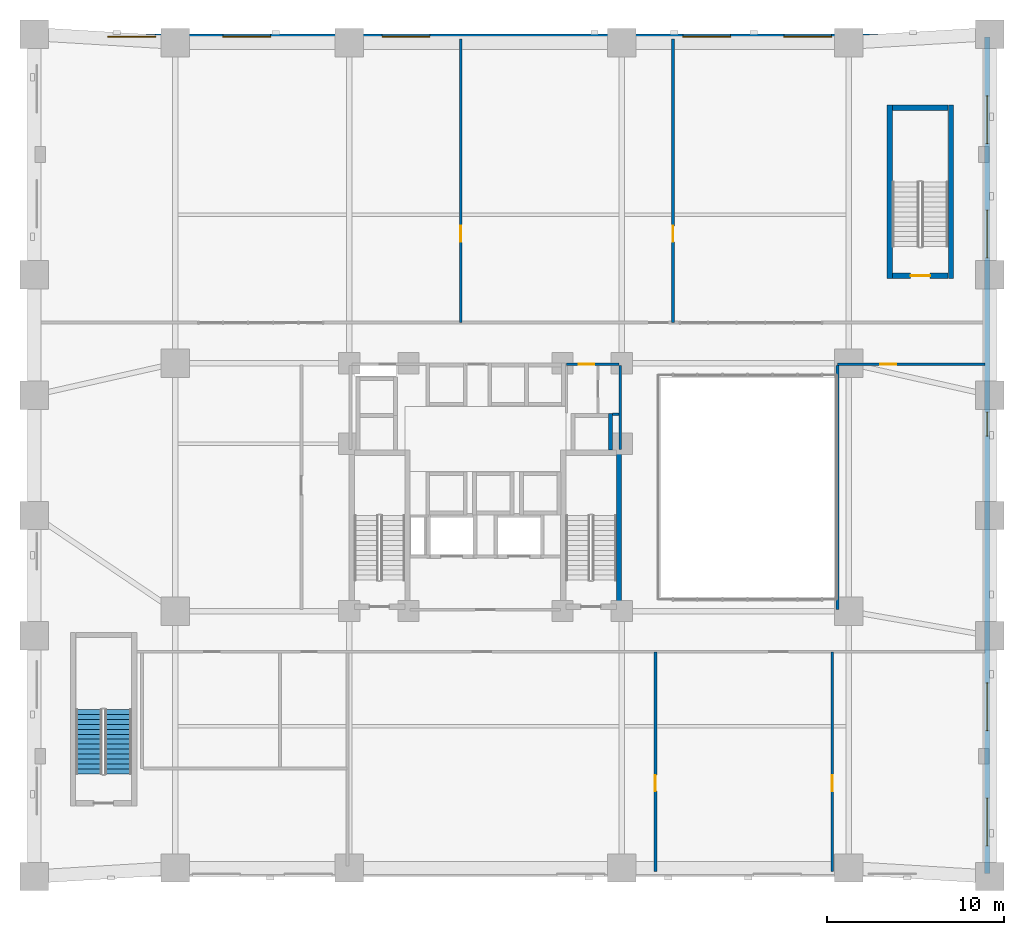
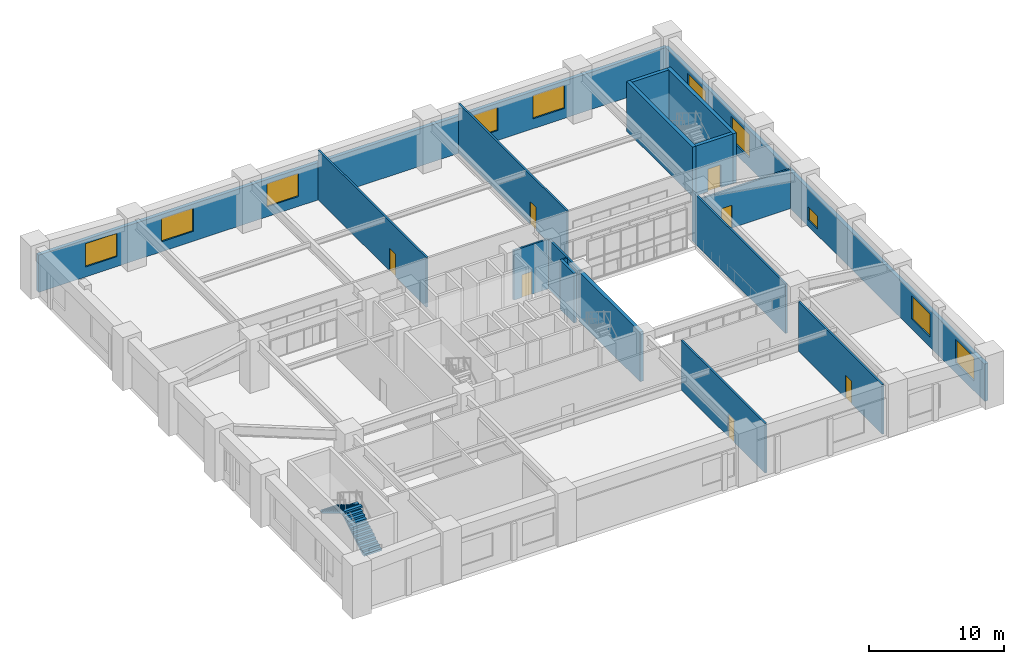
# One storey, part 8 of 13: 17 walls, 10 windows, 7 doors, 2 stair flights, 17 openings, 1 element without a shape of its own.
"""IFC4 building model written with IfcOpenShell, lengths in metres."""

from ifc_helpers import new_model, si_unit, derived_unit, direction, frame, frame_2d, origin, place, context, subcontext, project, spatial, polyline, rectangle, outline, extrude, material, layer, layer_set, type_object, element, fill, aggregate, save


model = new_model("IFC4")

# Units and contexts
model_context = context("Model", 3, precision=1e-05, world=origin(), true_north=direction((0.0, 1.0)))
body_context = subcontext(model_context, "Body", "Model", "MODEL_VIEW")
ifc_project = project(units=[si_unit("LENGTHUNIT", "METRE"), si_unit("AREAUNIT", "SQUARE_METRE"), si_unit("VOLUMEUNIT", "CUBIC_METRE"), si_unit("PLANEANGLEUNIT", "RADIAN"), si_unit("MASSUNIT", "GRAM", prefix="KILO"), derived_unit("THERMALTRANSMITTANCEUNIT", [(si_unit("MASSUNIT", "GRAM", prefix="KILO"), 1), (si_unit("TIMEUNIT", "SECOND"), -3), (si_unit("THERMODYNAMICTEMPERATUREUNIT", "KELVIN"), -1)])], contexts=[model_context])

# Site, building, storey
site_placement = place(None, origin())
site = spatial("IfcSite", under=ifc_project, at=site_placement, CompositionType="ELEMENT")
building_placement = place(site_placement, origin())
building = spatial("IfcBuilding", under=site, at=building_placement, Name="Korrvale Station Residences", CompositionType="ELEMENT")
storey_placement = place(building_placement, frame((0.0, 0.0, 11.199951171875)))
storey = spatial("IfcBuildingStorey", under=building, at=storey_placement, Name="L02", CompositionType="ELEMENT", Elevation=11.199951171875)

# Walls
ifc_material_1 = material(Name="Concrete C70/85", Category="concrete")
ifc_layer_1 = layer(ifc_material_1, 0.300048828125, Name="Concrete C70/85")
ifc_layer_set_1 = layer_set([ifc_layer_1], Name="Concrete C70/85")
wall_type_1 = type_object("IfcWallType", Name="WAL-CORE-300-C70", PredefinedType="SHEAR", material=ifc_layer_set_1)
wall_1_placement = place(storey_placement, frame((33.050048828125, 15.10009765625, 0.0), z_axis=(0.0, 0.0, 1.0), x_axis=(0.0, 1.0, 0.0)))
element("IfcWall", 1, at=wall_1_placement, inside=storey, type_object=wall_type_1, Name="L02 ST-2 Core Shear Wall East", PredefinedType="SHEAR", context=body_context, shape_type="SweptSolid", body=[
    extrude(rectangle(XDim=9.0, YDim=0.300048828125, at=frame_2d((4.5, 0.0))), origin(), (0.0, 0.0, 1.0), 4.47998046875),
])
for number, where, z_axis, x_axis, name in (
    (2, (48.35009765625, 33.800048828125, 0.0), (0.0, 0.0, 1.0), (0.0, 1.0, 0.0), "L02 ST-4 Core Shear Wall West"),
    (3, (51.800048828125, 33.800048828125, 0.0), (0.0, 0.0, 1.0), (0.0, 1.0, 0.0), "L02 ST-4 Core Shear Wall East"),
):
    element("IfcWall", number, at=place(storey_placement, frame(where, z_axis=z_axis, x_axis=x_axis)), inside=storey, type_object=wall_type_1, Name=name, PredefinedType="SHEAR", context=body_context, shape_type="SweptSolid", body=[
        extrude(rectangle(XDim=9.800048828125, YDim=0.300048828125, at=frame_2d((4.89990234375, 0.0))), origin(), (0.0, 0.0, 1.0), 4.47998046875),
    ])
wall_2_placement = place(storey_placement, frame((48.5, 43.449951171875, 0.0), z_axis=(0.0, 0.0, 1.0), x_axis=(1.0, 0.0, 0.0)))
element("IfcWall", 4, at=wall_2_placement, inside=storey, type_object=wall_type_1, Name="L02 ST-4 Core Shear Wall North", PredefinedType="SHEAR", context=body_context, shape_type="SweptSolid", body=[
    extrude(rectangle(XDim=3.14990234375, YDim=0.300048828125, at=frame_2d((1.574951171875, 0.0))), origin(), (0.0, 0.0, 1.0), 4.47998046875),
])

# Wall, opening, door
wall_3_placement = place(storey_placement, frame((48.5, 33.949951171875, 0.0), z_axis=(0.0, 0.0, 1.0), x_axis=(1.0, 0.0, 0.0)))
wall_3 = element("IfcWall", 5, at=wall_3_placement, inside=storey, type_object=wall_type_1, Name="L02 ST-4 Core Shear Wall South", PredefinedType="SHEAR", context=body_context, shape_type="SweptSolid", body=[
    extrude(rectangle(XDim=3.14990234375, YDim=0.300048828125, at=frame_2d((1.574951171875, 0.0))), origin(), (0.0, 0.0, 1.0), 4.47998046875),
])
opening_1_placement = place(wall_3_placement, frame((1.02001953125, 0.0, 0.0)))
opening_1 = element("IfcOpeningElement", 6, at=opening_1_placement, cuts=wall_3, Name="Opening SD-1100", PredefinedType="OPENING", context=body_context, shape_type="SweptSolid", body=[
    extrude(rectangle(XDim=1.10009765625, YDim=2.050048828125, at=frame_2d((0.550048828125, 1.02490234375))), frame((0.0, 0.16015625, 0.0), z_axis=(0.0, -1.0, 0.0), x_axis=(1.0, 0.0, 0.0)), (0.0, 0.0, 1.0), 0.320068359375),
])
ifc_material_2 = material(Name="Hollow-metal fire-rated stair door with closer", Category="steel")
door_type_1 = type_object("IfcDoorType", Name="DR-STAIR-1100", OperationType="NOTDEFINED", PredefinedType="DOOR", material=ifc_material_2)
door_1_placement = place(opening_1_placement, origin())
door_1 = element("IfcDoor", 7, at=door_1_placement, inside=storey, type_object=door_type_1, Name="L02 ST-4 Exit Stair Door", OperationType="SINGLE_SWING_RIGHT", OverallHeight=2.050048828125, OverallWidth=1.10009765625, PredefinedType="DOOR", context=body_context, shape_type="SweptSolid", body=[
    extrude(rectangle(XDim=1.10009765625, YDim=2.050048828125, at=frame_2d((0.550048828125, 1.02490234375))), frame((0.0, 0.02490234375, 0.0), z_axis=(0.0, -1.0, 0.0), x_axis=(1.0, 0.0, 0.0)), (0.0, 0.0, 1.0), 0.050048828125),
])
fill(opening_1, door_1)

# Wall, openings, windows
ifc_material_3 = material(Name="Precast concrete C45/55", Category="concrete")
ifc_layer_2 = layer(ifc_material_3, 0.300048828125, Name="Precast concrete C45/55")
ifc_layer_set_2 = layer_set([ifc_layer_2], Name="Precast concrete C45/55")
wall_type_2 = type_object("IfcWallType", Name="WAL-EXT-PC300", PredefinedType="SOLIDWALL", material=ifc_layer_set_2)
wall_4_placement = place(storey_placement, frame((0.159912109375, 47.449951171875, 0.0), z_axis=(0.0, 0.0, 1.0), x_axis=(1.0, 0.0, 0.0)))
wall_4 = element("IfcWall", 8, at=wall_4_placement, inside=storey, type_object=wall_type_2, Name="L02 North Exterior Precast Wall 1", PredefinedType="SOLIDWALL", context=body_context, shape_type="SweptSolid", body=[
    extrude(rectangle(XDim=53.68017578125, YDim=0.300048828125, at=frame_2d((26.840087890625, 0.0))), origin(), (0.0, 0.0, 1.0), 3.364990234375),
])
opening_2_placement = place(wall_4_placement, frame((4.0, 0.0, 0.89990234375)))
opening_2 = element("IfcOpeningElement", 9, at=opening_2_placement, cuts=wall_4, Name="Opening W-07", PredefinedType="OPENING", context=body_context, shape_type="SweptSolid", body=[
    extrude(rectangle(XDim=2.699951171875, YDim=2.10009765625, at=frame_2d((1.35009765625, 1.050048828125))), frame((0.0, 0.16015625, 0.0), z_axis=(0.0, -1.0, 0.0), x_axis=(1.0, 0.0, 0.0)), (0.0, 0.0, 1.0), 0.320068359375),
])
opening_3_placement = place(wall_4_placement, frame((10.5, 0.0, 0.89990234375)))
opening_3 = element("IfcOpeningElement", 10, at=opening_3_placement, cuts=wall_4, Name="Opening W-07", PredefinedType="OPENING", context=body_context, shape_type="SweptSolid", body=[
    extrude(rectangle(XDim=2.699951171875, YDim=2.10009765625, at=frame_2d((1.35009765625, 1.050048828125))), frame((0.0, 0.16015625, 0.0), z_axis=(0.0, -1.0, 0.0), x_axis=(1.0, 0.0, 0.0)), (0.0, 0.0, 1.0), 0.320068359375),
])
opening_4_placement = place(wall_4_placement, frame((19.5, 0.0, 0.89990234375)))
opening_4 = element("IfcOpeningElement", 11, at=opening_4_placement, cuts=wall_4, Name="Opening W-07", PredefinedType="OPENING", context=body_context, shape_type="SweptSolid", body=[
    extrude(rectangle(XDim=2.699951171875, YDim=2.10009765625, at=frame_2d((1.35009765625, 1.050048828125))), frame((0.0, 0.16015625, 0.0), z_axis=(0.0, -1.0, 0.0), x_axis=(1.0, 0.0, 0.0)), (0.0, 0.0, 1.0), 0.320068359375),
])
opening_5_placement = place(wall_4_placement, frame((36.5, 0.0, 0.89990234375)))
opening_5 = element("IfcOpeningElement", 12, at=opening_5_placement, cuts=wall_4, Name="Opening W-07", PredefinedType="OPENING", context=body_context, shape_type="SweptSolid", body=[
    extrude(rectangle(XDim=2.699951171875, YDim=2.10009765625, at=frame_2d((1.35009765625, 1.050048828125))), frame((0.0, 0.16015625, 0.0), z_axis=(0.0, -1.0, 0.0), x_axis=(1.0, 0.0, 0.0)), (0.0, 0.0, 1.0), 0.320068359375),
])
opening_6_placement = place(wall_4_placement, frame((42.199951171875, 0.0, 0.89990234375)))
opening_6 = element("IfcOpeningElement", 13, at=opening_6_placement, cuts=wall_4, Name="Opening W-07", PredefinedType="OPENING", context=body_context, shape_type="SweptSolid", body=[
    extrude(rectangle(XDim=2.699951171875, YDim=2.10009765625, at=frame_2d((1.35009765625, 1.050048828125))), frame((0.0, 0.16015625, 0.0), z_axis=(0.0, -1.0, 0.0), x_axis=(1.0, 0.0, 0.0)), (0.0, 0.0, 1.0), 0.320068359375),
])
ifc_material_4 = material(Name="Thermally broken aluminium frame with triple low-e glazing", Category="aluminium")
window_type_1 = type_object("IfcWindowType", Name="WIN-W07", PartitioningType="TRIPLE_PANEL_VERTICAL", PredefinedType="WINDOW", material=ifc_material_4)
window_1_placement = place(opening_2_placement, origin())
window_1 = element("IfcWindow", 14, at=window_1_placement, inside=storey, type_object=window_type_1, Name="L02 Station Concourse Punched Window 01", OverallHeight=2.10009765625, OverallWidth=2.699951171875, PartitioningType="TRIPLE_PANEL_VERTICAL", PredefinedType="WINDOW", context=body_context, shape_type="SweptSolid", body=[
    extrude(rectangle(XDim=2.699951171875, YDim=2.10009765625, at=frame_2d((1.35009765625, 1.050048828125))), frame((0.0, 0.030029296875, 0.0), z_axis=(0.0, -1.0, 0.0), x_axis=(1.0, 0.0, 0.0)), (0.0, 0.0, 1.0), 0.06005859375),
])
fill(opening_2, window_1)
window_2_placement = place(opening_3_placement, origin())
window_2 = element("IfcWindow", 15, at=window_2_placement, inside=storey, type_object=window_type_1, Name="L02 Station Concourse Punched Window 02", OverallHeight=2.10009765625, OverallWidth=2.699951171875, PartitioningType="TRIPLE_PANEL_VERTICAL", PredefinedType="WINDOW", context=body_context, shape_type="SweptSolid", body=[
    extrude(rectangle(XDim=2.699951171875, YDim=2.10009765625, at=frame_2d((1.35009765625, 1.050048828125))), frame((0.0, 0.030029296875, 0.0), z_axis=(0.0, -1.0, 0.0), x_axis=(1.0, 0.0, 0.0)), (0.0, 0.0, 1.0), 0.06005859375),
])
fill(opening_3, window_2)
window_3_placement = place(opening_4_placement, origin())
window_3 = element("IfcWindow", 16, at=window_3_placement, inside=storey, type_object=window_type_1, Name="L02 Station Concourse Punched Window 03", OverallHeight=2.10009765625, OverallWidth=2.699951171875, PartitioningType="TRIPLE_PANEL_VERTICAL", PredefinedType="WINDOW", context=body_context, shape_type="SweptSolid", body=[
    extrude(rectangle(XDim=2.699951171875, YDim=2.10009765625, at=frame_2d((1.35009765625, 1.050048828125))), frame((0.0, 0.030029296875, 0.0), z_axis=(0.0, -1.0, 0.0), x_axis=(1.0, 0.0, 0.0)), (0.0, 0.0, 1.0), 0.06005859375),
])
fill(opening_4, window_3)
window_4_placement = place(opening_5_placement, origin())
window_4 = element("IfcWindow", 17, at=window_4_placement, inside=storey, type_object=window_type_1, Name="L02 Station Concourse Punched Window 04", OverallHeight=2.10009765625, OverallWidth=2.699951171875, PartitioningType="TRIPLE_PANEL_VERTICAL", PredefinedType="WINDOW", context=body_context, shape_type="SweptSolid", body=[
    extrude(rectangle(XDim=2.699951171875, YDim=2.10009765625, at=frame_2d((1.35009765625, 1.050048828125))), frame((0.0, 0.030029296875, 0.0), z_axis=(0.0, -1.0, 0.0), x_axis=(1.0, 0.0, 0.0)), (0.0, 0.0, 1.0), 0.06005859375),
])
fill(opening_5, window_4)
window_5_placement = place(opening_6_placement, origin())
window_5 = element("IfcWindow", 18, at=window_5_placement, inside=storey, type_object=window_type_1, Name="L02 Station Concourse Punched Window 05", OverallHeight=2.10009765625, OverallWidth=2.699951171875, PartitioningType="TRIPLE_PANEL_VERTICAL", PredefinedType="WINDOW", context=body_context, shape_type="SweptSolid", body=[
    extrude(rectangle(XDim=2.699951171875, YDim=2.10009765625, at=frame_2d((1.35009765625, 1.050048828125))), frame((0.0, 0.030029296875, 0.0), z_axis=(0.0, -1.0, 0.0), x_axis=(1.0, 0.0, 0.0)), (0.0, 0.0, 1.0), 0.06005859375),
])
fill(opening_6, window_5)

wall_5_placement = place(storey_placement, frame((53.85009765625, 47.43994140625, 0.0), z_axis=(0.0, 0.0, 1.0), x_axis=(0.0, -1.0, 0.0)))
wall_5 = element("IfcWall", 19, at=wall_5_placement, inside=storey, type_object=wall_type_2, Name="L02 East Exterior Precast Wall 1", PredefinedType="SOLIDWALL", context=body_context, shape_type="SweptSolid", body=[
    extrude(rectangle(XDim=47.280029296875, YDim=0.300048828125, at=frame_2d((23.64013671875, 0.0))), origin(), (0.0, 0.0, 1.0), 3.364990234375),
])
opening_7_placement = place(wall_5_placement, frame((3.330078125, 0.0, 0.89990234375)))
opening_7 = element("IfcOpeningElement", 20, at=opening_7_placement, cuts=wall_5, Name="Opening W-07", PredefinedType="OPENING", context=body_context, shape_type="SweptSolid", body=[
    extrude(rectangle(XDim=2.699951171875, YDim=2.10009765625, at=frame_2d((1.35009765625, 1.050048828125))), frame((0.0, 0.16015625, 0.0), z_axis=(0.0, -1.0, 0.0), x_axis=(1.0, 0.0, 0.0)), (0.0, 0.0, 1.0), 0.320068359375),
])
opening_8_placement = place(wall_5_placement, frame((9.780029296875, 0.0, 0.89990234375)))
opening_8 = element("IfcOpeningElement", 21, at=opening_8_placement, cuts=wall_5, Name="Opening W-07", PredefinedType="OPENING", context=body_context, shape_type="SweptSolid", body=[
    extrude(rectangle(XDim=2.699951171875, YDim=2.10009765625, at=frame_2d((1.35009765625, 1.050048828125))), frame((0.0, 0.16015625, 0.0), z_axis=(0.0, -1.0, 0.0), x_axis=(1.0, 0.0, 0.0)), (0.0, 0.0, 1.0), 0.320068359375),
])
opening_9_placement = place(wall_5_placement, frame((21.199951171875, 0.0, 0.550048828125)))
opening_9 = element("IfcOpeningElement", 22, at=opening_9_placement, cuts=wall_5, Name="Opening W-10", PredefinedType="OPENING", context=body_context, shape_type="SweptSolid", body=[
    extrude(rectangle(XDim=1.35009765625, YDim=1.199951171875, at=frame_2d((0.675048828125, 0.60009765625))), frame((0.0, 0.16015625, 0.0), z_axis=(0.0, -1.0, 0.0), x_axis=(1.0, 0.0, 0.0)), (0.0, 0.0, 1.0), 0.320068359375),
])
opening_10_placement = place(wall_5_placement, frame((36.5, 0.0, 0.89990234375)))
opening_10 = element("IfcOpeningElement", 23, at=opening_10_placement, cuts=wall_5, Name="Opening W-07", PredefinedType="OPENING", context=body_context, shape_type="SweptSolid", body=[
    extrude(rectangle(XDim=2.699951171875, YDim=2.10009765625, at=frame_2d((1.35009765625, 1.050048828125))), frame((0.0, 0.16015625, 0.0), z_axis=(0.0, -1.0, 0.0), x_axis=(1.0, 0.0, 0.0)), (0.0, 0.0, 1.0), 0.320068359375),
])
opening_11_placement = place(wall_5_placement, frame((43.0, 0.0, 0.89990234375)))
opening_11 = element("IfcOpeningElement", 24, at=opening_11_placement, cuts=wall_5, Name="Opening W-07", PredefinedType="OPENING", context=body_context, shape_type="SweptSolid", body=[
    extrude(rectangle(XDim=2.699951171875, YDim=2.10009765625, at=frame_2d((1.35009765625, 1.050048828125))), frame((0.0, 0.16015625, 0.0), z_axis=(0.0, -1.0, 0.0), x_axis=(1.0, 0.0, 0.0)), (0.0, 0.0, 1.0), 0.320068359375),
])
window_6_placement = place(opening_7_placement, origin())
window_6 = element("IfcWindow", 25, at=window_6_placement, inside=storey, type_object=window_type_1, Name="L02 Station Concourse Punched Window 06", OverallHeight=2.10009765625, OverallWidth=2.699951171875, PartitioningType="TRIPLE_PANEL_VERTICAL", PredefinedType="WINDOW", context=body_context, shape_type="SweptSolid", body=[
    extrude(rectangle(XDim=2.699951171875, YDim=2.10009765625, at=frame_2d((1.35009765625, 1.050048828125))), frame((0.0, 0.030029296875, 0.0), z_axis=(0.0, -1.0, 0.0), x_axis=(1.0, 0.0, 0.0)), (0.0, 0.0, 1.0), 0.06005859375),
])
fill(opening_7, window_6)
window_7_placement = place(opening_8_placement, origin())
window_7 = element("IfcWindow", 26, at=window_7_placement, inside=storey, type_object=window_type_1, Name="L02 Station Concourse Punched Window 07", OverallHeight=2.10009765625, OverallWidth=2.699951171875, PartitioningType="TRIPLE_PANEL_VERTICAL", PredefinedType="WINDOW", context=body_context, shape_type="SweptSolid", body=[
    extrude(rectangle(XDim=2.699951171875, YDim=2.10009765625, at=frame_2d((1.35009765625, 1.050048828125))), frame((0.0, 0.030029296875, 0.0), z_axis=(0.0, -1.0, 0.0), x_axis=(1.0, 0.0, 0.0)), (0.0, 0.0, 1.0), 0.06005859375),
])
fill(opening_8, window_7)
window_8_placement = place(opening_10_placement, origin())
window_8 = element("IfcWindow", 27, at=window_8_placement, inside=storey, type_object=window_type_1, Name="L02 Station Concourse Punched Window 09", OverallHeight=2.10009765625, OverallWidth=2.699951171875, PartitioningType="TRIPLE_PANEL_VERTICAL", PredefinedType="WINDOW", context=body_context, shape_type="SweptSolid", body=[
    extrude(rectangle(XDim=2.699951171875, YDim=2.10009765625, at=frame_2d((1.35009765625, 1.050048828125))), frame((0.0, 0.030029296875, 0.0), z_axis=(0.0, -1.0, 0.0), x_axis=(1.0, 0.0, 0.0)), (0.0, 0.0, 1.0), 0.06005859375),
])
fill(opening_10, window_8)
window_9_placement = place(opening_11_placement, origin())
window_9 = element("IfcWindow", 28, at=window_9_placement, inside=storey, type_object=window_type_1, Name="L02 Station Concourse Punched Window 10", OverallHeight=2.10009765625, OverallWidth=2.699951171875, PartitioningType="TRIPLE_PANEL_VERTICAL", PredefinedType="WINDOW", context=body_context, shape_type="SweptSolid", body=[
    extrude(rectangle(XDim=2.699951171875, YDim=2.10009765625, at=frame_2d((1.35009765625, 1.050048828125))), frame((0.0, 0.030029296875, 0.0), z_axis=(0.0, -1.0, 0.0), x_axis=(1.0, 0.0, 0.0)), (0.0, 0.0, 1.0), 0.06005859375),
])
fill(opening_11, window_9)
window_type_2 = type_object("IfcWindowType", Name="WIN-W10", PartitioningType="SINGLE_PANEL", PredefinedType="WINDOW", material=ifc_material_4)
window_10_placement = place(opening_9_placement, origin())
window_10 = element("IfcWindow", 29, at=window_10_placement, inside=storey, type_object=window_type_2, Name="L02 Station Concourse Punched Window 08", OverallHeight=1.199951171875, OverallWidth=1.35009765625, PartitioningType="SINGLE_PANEL", PredefinedType="WINDOW", context=body_context, shape_type="SweptSolid", body=[
    extrude(rectangle(XDim=1.35009765625, YDim=1.199951171875, at=frame_2d((0.675048828125, 0.60009765625))), frame((0.0, 0.030029296875, 0.0), z_axis=(0.0, -1.0, 0.0), x_axis=(1.0, 0.0, 0.0)), (0.0, 0.0, 1.0), 0.06005859375),
])
fill(opening_9, window_10)

# Walls
ifc_material_5 = material(Name="Acoustic steel-stud gypsum board partition", Category="steel")
ifc_layer_3 = layer(ifc_material_5, 0.1201171875, Name="Acoustic steel-stud gypsum board partition")
ifc_layer_set_3 = layer_set([ifc_layer_3], Name="Acoustic steel-stud gypsum board partition")
wall_type_3 = type_object("IfcWallType", Name="WAL-PART-125", PredefinedType="PARTITIONING", material=ifc_layer_set_3)
wall_6_placement = place(storey_placement, frame((32.679931640625, 26.1201171875, 0.0), z_axis=(0.0, 0.0, 1.0), x_axis=(1.0, 0.0, 0.0)))
element("IfcWall", 30, at=wall_6_placement, inside=storey, type_object=wall_type_3, Name="L02 Core Partition CW-CS-S", PredefinedType="PARTITIONING", context=body_context, shape_type="SweptSolid", body=[
    extrude(rectangle(XDim=0.380126953125, YDim=0.1201171875, at=frame_2d((0.18994140625, 0.0))), origin(), (0.0, 0.0, 1.0), 4.47998046875),
])
ifc_material_6 = material(Name="Fire-rated twin-stud gypsum and mineral wool shaftwall assembly", Category="gypsum")
ifc_layer_4 = layer(ifc_material_6, 0.159912109375, Name="Fire-rated twin-stud gypsum and mineral wool shaftwall assembly")
ifc_layer_set_4 = layer_set([ifc_layer_4], Name="Fire-rated twin-stud gypsum and mineral wool shaftwall assembly")
wall_type_4 = type_object("IfcWallType", Name="WAL-PART-200", PredefinedType="PARTITIONING", material=ifc_layer_set_4)
wall_7_placement = place(storey_placement, frame((33.1201171875, 24.1201171875, 0.0), z_axis=(0.0, 0.0, 1.0), x_axis=(0.0, 1.0, 0.0)))
element("IfcWall", 31, at=wall_7_placement, inside=storey, type_object=wall_type_4, Name="L02 Core Partition CW-E-N", PredefinedType="PARTITIONING", context=body_context, shape_type="SweptSolid", body=[
    extrude(rectangle(XDim=4.759765625, YDim=0.159912109375, at=frame_2d((2.3798828125, 0.0))), origin(), (0.0, 0.0, 1.0), 4.47998046875),
])

# Wall, opening, door
wall_8_placement = place(storey_placement, frame((30.080078125, 28.949951171875, 0.0), z_axis=(0.0, 0.0, 1.0), x_axis=(1.0, 0.0, 0.0)))
wall_8 = element("IfcWall", 32, at=wall_8_placement, inside=storey, type_object=wall_type_4, Name="L02 Core Partition CW-CS-N", PredefinedType="PARTITIONING", context=body_context, shape_type="SweptSolid", body=[
    extrude(rectangle(XDim=2.9599609375, YDim=0.159912109375, at=frame_2d((1.47998046875, 0.0))), origin(), (0.0, 0.0, 1.0), 4.47998046875),
])
opening_12_placement = place(wall_8_placement, frame((0.695068359375, 0.0, 0.0)))
opening_12 = element("IfcOpeningElement", 33, at=opening_12_placement, cuts=wall_8, Name="Opening DB-860", PredefinedType="OPENING", context=body_context, shape_type="SweptSolid", body=[
    extrude(rectangle(XDim=0.860107421875, YDim=2.050048828125, at=frame_2d((0.43017578125, 1.02490234375))), frame((0.0, 0.08984375, 0.0), z_axis=(0.0, -1.0, 0.0), x_axis=(1.0, 0.0, 0.0)), (0.0, 0.0, 1.0), 0.179931640625),
])
ifc_material_7 = material(Name="Moisture-resistant solid-core bathroom door", Category="timber")
door_type_2 = type_object("IfcDoorType", Name="DR-BATH-860", OperationType="NOTDEFINED", PredefinedType="DOOR", material=ifc_material_7)
door_2_placement = place(opening_12_placement, origin())
door_2 = element("IfcDoor", 34, at=door_2_placement, inside=storey, type_object=door_type_2, Name="L02 Housekeeping Supply Door", OperationType="SINGLE_SWING_RIGHT", OverallHeight=2.050048828125, OverallWidth=0.860107421875, PredefinedType="DOOR", context=body_context, shape_type="SweptSolid", body=[
    extrude(rectangle(XDim=0.860107421875, YDim=2.050048828125, at=frame_2d((0.43017578125, 1.02490234375))), frame((0.0, 0.02490234375, 0.0), z_axis=(0.0, -1.0, 0.0), x_axis=(1.0, 0.0, 0.0)), (0.0, 0.0, 1.0), 0.050048828125),
])
fill(opening_12, door_2)

wall_9_placement = place(storey_placement, frame((45.39990234375, 28.949951171875, 0.0), z_axis=(0.0, 0.0, 1.0), x_axis=(1.0, 0.0, 0.0)))
wall_9 = element("IfcWall", 35, at=wall_9_placement, inside=storey, type_object=wall_type_4, Name="L02 Interior Partition W-PE-N", PredefinedType="PARTITIONING", context=body_context, shape_type="SweptSolid", body=[
    extrude(rectangle(XDim=8.320068359375, YDim=0.159912109375, at=frame_2d((4.16015625, 0.0))), origin(), (0.0, 0.0, 1.0), 3.56494140625),
])
opening_13_placement = place(wall_9_placement, frame((2.39990234375, 0.0, 0.0)))
opening_13 = element("IfcOpeningElement", 36, at=opening_13_placement, cuts=wall_9, Name="Opening DI-900", PredefinedType="OPENING", context=body_context, shape_type="SweptSolid", body=[
    extrude(rectangle(XDim=0.89990234375, YDim=2.050048828125, at=frame_2d((0.449951171875, 1.02490234375))), frame((0.0, 0.08984375, 0.0), z_axis=(0.0, -1.0, 0.0), x_axis=(1.0, 0.0, 0.0)), (0.0, 0.0, 1.0), 0.179931640625),
])
ifc_material_8 = material(Name="Painted solid-core timber interior room door", Category="wood")
door_type_3 = type_object("IfcDoorType", Name="DR-INT-900", OperationType="NOTDEFINED", PredefinedType="DOOR", material=ifc_material_8)
door_3_placement = place(opening_13_placement, origin())
door_3 = element("IfcDoor", 37, at=door_3_placement, inside=storey, type_object=door_type_3, Name="L02 East Atrium Lounge North Door", OperationType="SINGLE_SWING_RIGHT", OverallHeight=2.050048828125, OverallWidth=0.89990234375, PredefinedType="DOOR", context=body_context, shape_type="SweptSolid", body=[
    extrude(rectangle(XDim=0.89990234375, YDim=2.050048828125, at=frame_2d((0.449951171875, 1.02490234375))), frame((0.0, 0.02490234375, 0.0), z_axis=(0.0, -1.0, 0.0), x_axis=(1.0, 0.0, 0.0)), (0.0, 0.0, 1.0), 0.050048828125),
])
fill(opening_13, door_3)

# Wall
wall_10_placement = place(storey_placement, frame((45.39990234375, 15.10009765625, 0.0), z_axis=(0.0, 0.0, 1.0), x_axis=(0.0, 1.0, 0.0)))
element("IfcWall", 38, at=wall_10_placement, inside=storey, type_object=wall_type_4, Name="L02 Interior Partition W-PE-W", PredefinedType="PARTITIONING", context=body_context, shape_type="SweptSolid", body=[
    extrude(rectangle(XDim=13.77978515625, YDim=0.159912109375, at=frame_2d((6.889892578125, 0.0))), origin(), (0.0, 0.0, 1.0), 4.47998046875),
])

# Wall, opening, door
wall_11_placement = place(storey_placement, frame((24.10009765625, 31.320068359375, 0.0), z_axis=(0.0, 0.0, 1.0), x_axis=(0.0, 1.0, 0.0)))
wall_11 = element("IfcWall", 39, at=wall_11_placement, inside=storey, type_object=wall_type_4, Name="L02 Interior Partition W-D1", PredefinedType="PARTITIONING", context=body_context, shape_type="SweptSolid", body=[
    extrude(rectangle(XDim=16.0, YDim=0.159912109375, at=frame_2d((8.0, 0.0))), origin(), (0.0, 0.0, 1.0), 4.47998046875),
])
opening_14_placement = place(wall_11_placement, frame((4.550048828125, 0.0, 0.0)))
opening_14 = element("IfcOpeningElement", 40, at=opening_14_placement, cuts=wall_11, Name="Opening DI-900", PredefinedType="OPENING", context=body_context, shape_type="SweptSolid", body=[
    extrude(rectangle(XDim=0.89990234375, YDim=2.050048828125, at=frame_2d((0.449951171875, 1.02490234375))), frame((0.0, 0.08984375, 0.0), z_axis=(0.0, -1.0, 0.0), x_axis=(1.0, 0.0, 0.0)), (0.0, 0.0, 1.0), 0.179931640625),
])
door_4_placement = place(opening_14_placement, origin())
door_4 = element("IfcDoor", 41, at=door_4_placement, inside=storey, type_object=door_type_3, Name="L02 Boardroom A Door", OperationType="SINGLE_SWING_LEFT", OverallHeight=2.050048828125, OverallWidth=0.89990234375, PredefinedType="DOOR", context=body_context, shape_type="SweptSolid", body=[
    extrude(rectangle(XDim=0.89990234375, YDim=2.050048828125, at=frame_2d((0.449951171875, 1.02490234375))), frame((0.0, 0.02490234375, 0.0), z_axis=(0.0, -1.0, 0.0), x_axis=(1.0, 0.0, 0.0)), (0.0, 0.0, 1.0), 0.050048828125),
])
fill(opening_14, door_4)

wall_12_placement = place(storey_placement, frame((36.10009765625, 31.320068359375, 0.0), z_axis=(0.0, 0.0, 1.0), x_axis=(0.0, 1.0, 0.0)))
wall_12 = element("IfcWall", 42, at=wall_12_placement, inside=storey, type_object=wall_type_4, Name="L02 Interior Partition W-D2", PredefinedType="PARTITIONING", context=body_context, shape_type="SweptSolid", body=[
    extrude(rectangle(XDim=16.0, YDim=0.159912109375, at=frame_2d((8.0, 0.0))), origin(), (0.0, 0.0, 1.0), 4.47998046875),
])
opening_15_placement = place(wall_12_placement, frame((4.550048828125, 0.0, 0.0)))
opening_15 = element("IfcOpeningElement", 43, at=opening_15_placement, cuts=wall_12, Name="Opening DI-900", PredefinedType="OPENING", context=body_context, shape_type="SweptSolid", body=[
    extrude(rectangle(XDim=0.89990234375, YDim=2.050048828125, at=frame_2d((0.449951171875, 1.02490234375))), frame((0.0, 0.08984375, 0.0), z_axis=(0.0, -1.0, 0.0), x_axis=(1.0, 0.0, 0.0)), (0.0, 0.0, 1.0), 0.179931640625),
])
door_5_placement = place(opening_15_placement, origin())
door_5 = element("IfcDoor", 44, at=door_5_placement, inside=storey, type_object=door_type_3, Name="L02 Boardroom B Door", OperationType="SINGLE_SWING_RIGHT", OverallHeight=2.050048828125, OverallWidth=0.89990234375, PredefinedType="DOOR", context=body_context, shape_type="SweptSolid", body=[
    extrude(rectangle(XDim=0.89990234375, YDim=2.050048828125, at=frame_2d((0.449951171875, 1.02490234375))), frame((0.0, 0.02490234375, 0.0), z_axis=(0.0, -1.0, 0.0), x_axis=(1.0, 0.0, 0.0)), (0.0, 0.0, 1.0), 0.050048828125),
])
fill(opening_15, door_5)

wall_13_placement = place(storey_placement, frame((35.10009765625, 0.280029296875, 0.0), z_axis=(0.0, 0.0, 1.0), x_axis=(0.0, 1.0, 0.0)))
wall_13 = element("IfcWall", 45, at=wall_13_placement, inside=storey, type_object=wall_type_4, Name="L02 Interior Partition W-D3", PredefinedType="PARTITIONING", context=body_context, shape_type="SweptSolid", body=[
    extrude(rectangle(XDim=12.39990234375, YDim=0.159912109375, at=frame_2d((6.199951171875, 0.0))), origin(), (0.0, 0.0, 1.0), 4.47998046875),
])
opening_16_placement = place(wall_13_placement, frame((4.550048828125, 0.0, 0.0)))
opening_16 = element("IfcOpeningElement", 46, at=opening_16_placement, cuts=wall_13, Name="Opening DI-900", PredefinedType="OPENING", context=body_context, shape_type="SweptSolid", body=[
    extrude(rectangle(XDim=0.89990234375, YDim=2.050048828125, at=frame_2d((0.449951171875, 1.02490234375))), frame((0.0, 0.08984375, 0.0), z_axis=(0.0, -1.0, 0.0), x_axis=(1.0, 0.0, 0.0)), (0.0, 0.0, 1.0), 0.179931640625),
])
door_6_placement = place(opening_16_placement, origin())
door_6 = element("IfcDoor", 47, at=door_6_placement, inside=storey, type_object=door_type_3, Name="L02 Screening Room Door", OperationType="SINGLE_SWING_LEFT", OverallHeight=2.050048828125, OverallWidth=0.89990234375, PredefinedType="DOOR", context=body_context, shape_type="SweptSolid", body=[
    extrude(rectangle(XDim=0.89990234375, YDim=2.050048828125, at=frame_2d((0.449951171875, 1.02490234375))), frame((0.0, 0.02490234375, 0.0), z_axis=(0.0, -1.0, 0.0), x_axis=(1.0, 0.0, 0.0)), (0.0, 0.0, 1.0), 0.050048828125),
])
fill(opening_16, door_6)

wall_14_placement = place(storey_placement, frame((45.10009765625, 0.280029296875, 0.0), z_axis=(0.0, 0.0, 1.0), x_axis=(0.0, 1.0, 0.0)))
wall_14 = element("IfcWall", 48, at=wall_14_placement, inside=storey, type_object=wall_type_4, Name="L02 Interior Partition W-D4", PredefinedType="PARTITIONING", context=body_context, shape_type="SweptSolid", body=[
    extrude(rectangle(XDim=12.39990234375, YDim=0.159912109375, at=frame_2d((6.199951171875, 0.0))), origin(), (0.0, 0.0, 1.0), 4.47998046875),
])
opening_17_placement = place(wall_14_placement, frame((4.550048828125, 0.0, 0.0)))
opening_17 = element("IfcOpeningElement", 49, at=opening_17_placement, cuts=wall_14, Name="Opening DI-900", PredefinedType="OPENING", context=body_context, shape_type="SweptSolid", body=[
    extrude(rectangle(XDim=0.89990234375, YDim=2.050048828125, at=frame_2d((0.449951171875, 1.02490234375))), frame((0.0, 0.08984375, 0.0), z_axis=(0.0, -1.0, 0.0), x_axis=(1.0, 0.0, 0.0)), (0.0, 0.0, 1.0), 0.179931640625),
])
door_7_placement = place(opening_17_placement, origin())
door_7 = element("IfcDoor", 50, at=door_7_placement, inside=storey, type_object=door_type_3, Name="L02 Media Studio Door", OperationType="SINGLE_SWING_RIGHT", OverallHeight=2.050048828125, OverallWidth=0.89990234375, PredefinedType="DOOR", context=body_context, shape_type="SweptSolid", body=[
    extrude(rectangle(XDim=0.89990234375, YDim=2.050048828125, at=frame_2d((0.449951171875, 1.02490234375))), frame((0.0, 0.02490234375, 0.0), z_axis=(0.0, -1.0, 0.0), x_axis=(1.0, 0.0, 0.0)), (0.0, 0.0, 1.0), 0.050048828125),
])
fill(opening_17, door_7)

# Wall
ifc_layer_5 = layer(ifc_material_1, 0.219970703125, Name="Concrete C70/85")
ifc_layer_set_5 = layer_set([ifc_layer_5], Name="Concrete C70/85")
wall_type_5 = type_object("IfcWallType", Name="WAL-SHAFT-220-C70", PredefinedType="SHEAR", material=ifc_layer_set_5)
wall_15_placement = place(storey_placement, frame((32.56005859375, 24.10009765625, 0.0), z_axis=(0.0, 0.0, 1.0), x_axis=(0.0, 1.0, 0.0)))
element("IfcWall", 51, at=wall_15_placement, inside=storey, type_object=wall_type_5, Name="L02 Elevator PH-3 Hoistway Wall East", PredefinedType="SHEAR", context=body_context, shape_type="SweptSolid", body=[
    extrude(rectangle(XDim=2.06982421875, YDim=0.219970703125, at=frame_2d((1.034912109375, 0.0))), origin(), (0.0, 0.0, 1.0), 4.47998046875),
])

# Stair, stair flights
ifc_material_9 = material(Name="Concrete C50/60", Category="concrete")
stair_type = type_object("IfcStairType", Name="STR-DL-1500-28R-1714", PredefinedType="HALF_TURN_STAIR", material=ifc_material_9)
stair_placement = place(storey_placement, origin())
stair = element("IfcStair", 52, at=stair_placement, inside=storey, type_object=stair_type, Name="L02 Station Exit Stair 3", PredefinedType="HALF_TURN_STAIR")
stair_flight_type = type_object("IfcStairFlightType", Name="FLT-DL-1500-28R-1714", PredefinedType="STRAIGHT", material=ifc_material_9)
stair_flight_1_placement = place(storey_placement, frame((4.75, 5.800048828125, 0.0), z_axis=(0.0, 0.0, 1.0), x_axis=(0.0, 1.0, 0.0)))
stair_flight_1 = element("IfcStairFlight", 53, at=stair_flight_1_placement, type_object=stair_flight_type, Name="ST-3 flight 1", NumberOfRisers=14, NumberOfTreads=13, PredefinedType="STRAIGHT", RiserHeight=0.171428571, TreadLength=0.28, context=body_context, shape_type="SweptSolid", body=[
    extrude(outline(polyline([(0.0, 0.0), (0.0, 0.17138671875), (0.280029296875, 0.17138671875), (0.280029296875, 0.3427734375), (0.56005859375, 0.3427734375), (0.56005859375, 0.514404296875), (0.840087890625, 0.514404296875), (0.840087890625, 0.685791015625), (1.1201171875, 0.685791015625), (1.1201171875, 0.857177734375), (1.39990234375, 0.857177734375), (1.39990234375, 1.028564453125), (1.679931640625, 1.028564453125), (1.679931640625, 1.199951171875), (1.9599609375, 1.199951171875), (1.9599609375, 1.371337890625), (2.239990234375, 1.371337890625), (2.239990234375, 1.54296875), (2.52001953125, 1.54296875), (2.52001953125, 1.71435546875), (2.800048828125, 1.71435546875), (2.800048828125, 1.8857421875), (3.080078125, 1.8857421875), (3.080078125, 2.05712890625), (3.360107421875, 2.05712890625), (3.360107421875, 2.228515625), (3.639892578125, 2.228515625), (3.639892578125, 2.39990234375), (3.639892578125, 2.052734375), (0.287109375, 0.0), (0.0, 0.0)])), frame((0.0, 0.75, 0.0), z_axis=(0.0, -1.0, 0.0), x_axis=(1.0, 0.0, 0.0)), (0.0, 0.0, 1.0), 1.5),
])
stair_flight_2_placement = place(storey_placement, frame((3.10009765625, 9.43994140625, 2.400146484375), z_axis=(0.0, 0.0, 1.0), x_axis=(0.0, -1.0, 0.0)))
stair_flight_2 = element("IfcStairFlight", 54, at=stair_flight_2_placement, type_object=stair_flight_type, Name="ST-3 flight 2", NumberOfRisers=14, NumberOfTreads=13, PredefinedType="STRAIGHT", RiserHeight=0.171428571, TreadLength=0.28, context=body_context, shape_type="SweptSolid", body=[
    extrude(outline(polyline([(0.0, 0.0), (0.0, 0.17138671875), (0.280029296875, 0.17138671875), (0.280029296875, 0.3427734375), (0.56005859375, 0.3427734375), (0.56005859375, 0.514404296875), (0.840087890625, 0.514404296875), (0.840087890625, 0.685791015625), (1.1201171875, 0.685791015625), (1.1201171875, 0.857177734375), (1.39990234375, 0.857177734375), (1.39990234375, 1.028564453125), (1.679931640625, 1.028564453125), (1.679931640625, 1.199951171875), (1.9599609375, 1.199951171875), (1.9599609375, 1.371337890625), (2.239990234375, 1.371337890625), (2.239990234375, 1.54296875), (2.52001953125, 1.54296875), (2.52001953125, 1.71435546875), (2.800048828125, 1.71435546875), (2.800048828125, 1.8857421875), (3.080078125, 1.8857421875), (3.080078125, 2.05712890625), (3.360107421875, 2.05712890625), (3.360107421875, 2.228515625), (3.639892578125, 2.228515625), (3.639892578125, 2.39990234375), (3.639892578125, 2.052734375), (0.287109375, 0.0), (0.0, 0.0)])), frame((0.0, 0.75, 0.0), z_axis=(0.0, -1.0, 0.0), x_axis=(1.0, 0.0, 0.0)), (0.0, 0.0, 1.0), 1.5),
])
aggregate(stair, [stair_flight_1, stair_flight_2])

save(model, "model.ifc")
